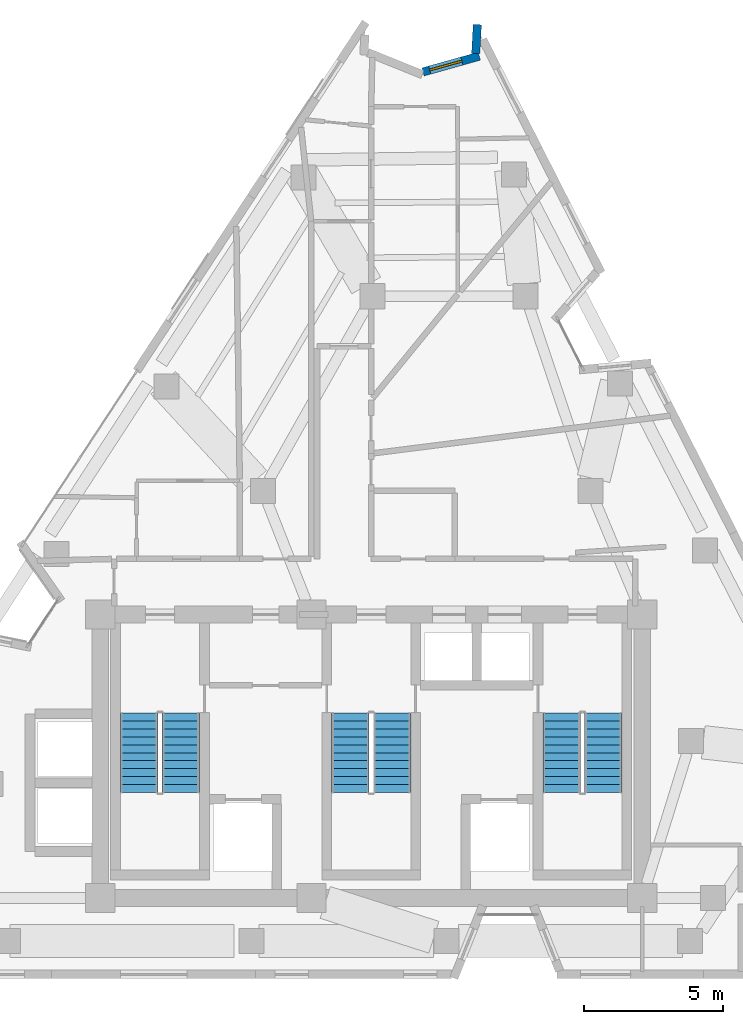
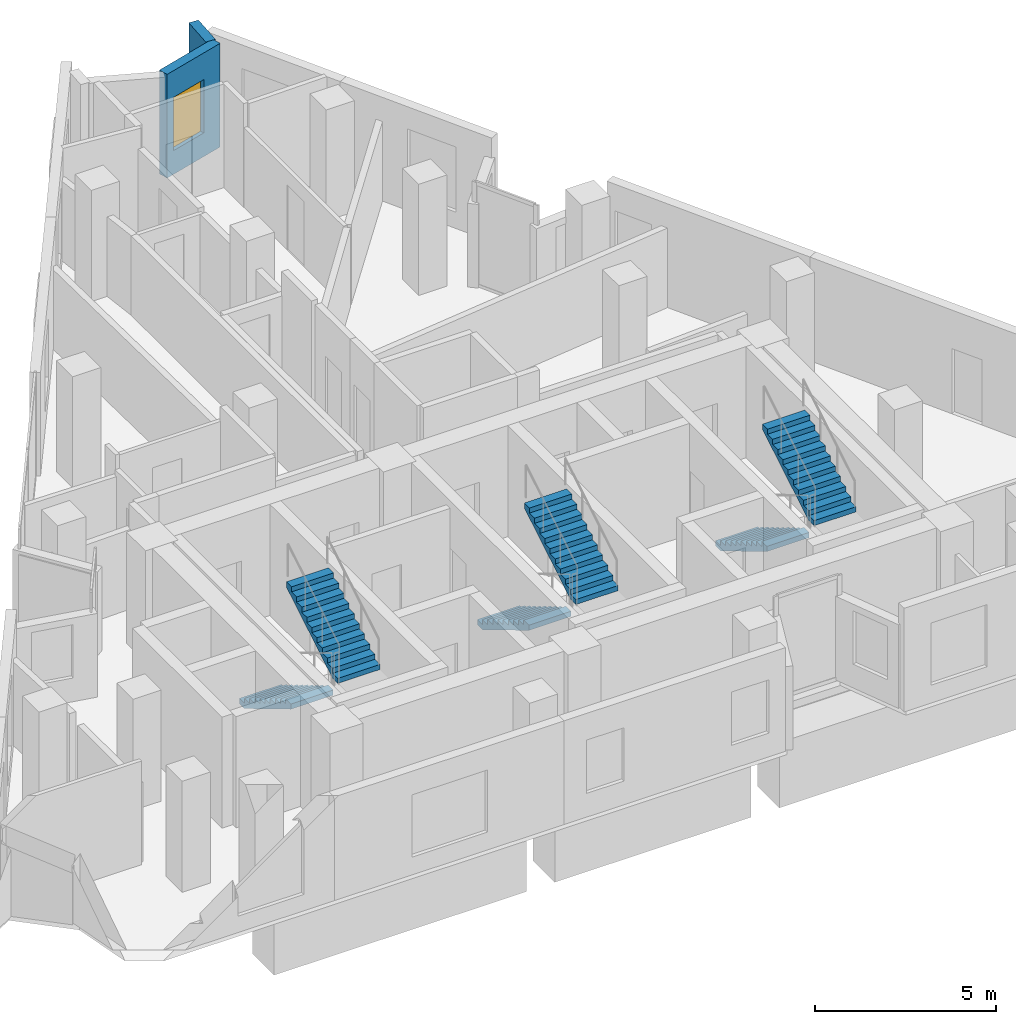
# One storey, part 8 of 10: 6 stair flights, 2 walls, 1 window, 1 opening, 3 elements without a shape of their own.
"""IFC4 building model written with IfcOpenShell, lengths in metres."""

from ifc_helpers import new_model, si_unit, direction, frame, frame_2d, origin, place, context, subcontext, project, spatial, polyline, rectangle, outline, extrude, material, layer, layer_set, type_object, element, fill, aggregate, save


model = new_model("IFC4")

# Units and contexts
model_context = context("Model", 3, precision=1e-05, world=origin(), true_north=direction((0.0, 1.0)))
body_context = subcontext(model_context, "Body", "Model", "MODEL_VIEW")
ifc_project = project(units=[si_unit("LENGTHUNIT", "METRE"), si_unit("AREAUNIT", "SQUARE_METRE"), si_unit("VOLUMEUNIT", "CUBIC_METRE"), si_unit("PLANEANGLEUNIT", "RADIAN"), si_unit("MASSUNIT", "GRAM", prefix="KILO")], contexts=[model_context])

# Site, building, storey
site_placement = place(None, origin())
site = spatial("IfcSite", under=ifc_project, at=site_placement, CompositionType="ELEMENT")
building_placement = place(site_placement, origin())
building = spatial("IfcBuilding", under=site, at=building_placement, Name="Almagre Mirador Tower", CompositionType="ELEMENT")
storey_placement = place(building_placement, frame((0.0, 0.0, 229.5)))
storey = spatial("IfcBuildingStorey", under=building, at=storey_placement, Name="L59", CompositionType="ELEMENT", Elevation=229.5)

# Wall, opening, window
ifc_material_1 = material(Name="Precast concrete C50/60", Category="concrete")
ifc_layer = layer(ifc_material_1, 0.300048828125)
ifc_layer_set = layer_set([ifc_layer], Name="Precast concrete C50/60")
wall_type = type_object("IfcWallType", Name="WAL-EXT-300", PredefinedType="SOLIDWALL", material=ifc_layer_set)
wall_1_placement = place(storey_placement, frame((39.166015625, 34.27099609375, 0.0), z_axis=(0.0, 0.0, 1.0), x_axis=(0.962897602702, 0.269867016714, 0.0)))
wall_1 = element("IfcWall", 1, at=wall_1_placement, inside=storey, type_object=wall_type, Name="L59 expressed almagre precast frame wall 07", PredefinedType="SOLIDWALL", context=body_context, shape_type="SweptSolid", body=[
    extrude(rectangle(XDim=2.1005859375, YDim=0.300048828125, at=frame_2d((1.05029296875, 0.0))), origin(), (0.0, 0.0, 1.0), 3.5),
])
opening_placement = place(wall_1_placement, frame((0.25, 0.0, 0.800048828125)))
opening = element("IfcOpeningElement", 2, at=opening_placement, cuts=wall_1, Name="Opening WN-04", PredefinedType="OPENING", context=body_context, shape_type="SweptSolid", body=[
    extrude(rectangle(XDim=1.199951171875, YDim=1.800048828125, at=frame_2d((0.60009765625, 0.89990234375))), frame((0.0, 0.159902, 0.0), z_axis=(0.0, -1.0, 0.0), x_axis=(1.0, 0.0, 0.0)), (0.0, 0.0, 1.0), 0.320049),
])
ifc_material_2 = material(Name="Dark solar-control laminated hurricane glass", Category="glass")
window_type = type_object("IfcWindowType", Name="WIN-1200X1800", PartitioningType="SINGLE_PANEL", PredefinedType="WINDOW", material=ifc_material_2)
window_placement = place(opening_placement, origin())
window = element("IfcWindow", 3, at=window_placement, inside=storey, type_object=window_type, Name="L59 recessed hurricane window L59-UL-BT", OverallHeight=1.800048828125, OverallWidth=1.199951171875, PartitioningType="SINGLE_PANEL", PredefinedType="WINDOW", context=body_context, shape_type="SweptSolid", body=[
    extrude(rectangle(XDim=1.199951171875, YDim=1.800048828125, at=frame_2d((0.60009765625, 0.89990234375))), frame((0.0, 0.030029296875, 0.0), z_axis=(0.0, -1.0, 0.0), x_axis=(1.0, 0.0, 0.0)), (0.0, 0.0, 1.0), 0.06005859375),
])
fill(opening, window)

# Wall
wall_2_placement = place(storey_placement, frame((41.0615234375, 34.934814453125, 0.0), z_axis=(0.0, 0.0, 1.0), x_axis=(0.056067679965, 0.998426970421, 0.0)))
element("IfcWall", 4, at=wall_2_placement, inside=storey, type_object=wall_type, Name="L59 expressed almagre precast frame wall 08", PredefinedType="SOLIDWALL", context=body_context, shape_type="SweptSolid", body=[
    extrude(rectangle(XDim=1.040771484375, YDim=0.300048828125, at=frame_2d((0.5205078125, 0.0))), origin(), (0.0, 0.0, 1.0), 3.5),
])

# Stair, stair flights
ifc_material_3 = material(Name="Concrete C45/55", Category="concrete")
stair_type = type_object("IfcStairType", Name="STR-DL-3750", PredefinedType="HALF_TURN_STAIR", material=ifc_material_3)
stair_1_placement = place(storey_placement, origin())
stair_1 = element("IfcStair", 5, at=stair_1_placement, inside=storey, type_object=stair_type, Name="L59 Protected exit stair ST-1", PredefinedType="HALF_TURN_STAIR")
ifc_material_4 = material(Name="Concrete C45/55", Category="concrete")
stair_flight_type = type_object("IfcStairFlightType", Name="FLT-DL-3750", PredefinedType="STRAIGHT", material=ifc_material_4)
stair_flight_1_placement = place(storey_placement, frame((28.949951171875, 11.199951171875, 0.0), z_axis=(0.0, 0.0, 1.0), x_axis=(0.0, -1.0, 0.0)))
stair_flight_1 = element("IfcStairFlight", 6, at=stair_flight_1_placement, type_object=stair_flight_type, Name="ST-1 flight 1", NumberOfRisers=11, NumberOfTreads=10, PredefinedType="STRAIGHT", RiserHeight=0.170454545, TreadLength=0.285, context=body_context, shape_type="SweptSolid", body=[
    extrude(outline(polyline([(0.0, 0.0), (0.0, 0.17041015625), (0.284912109375, 0.17041015625), (0.284912109375, 0.3408203125), (0.570068359375, 0.3408203125), (0.570068359375, 0.511474609375), (0.85498046875, 0.511474609375), (0.85498046875, 0.681884765625), (1.139892578125, 0.681884765625), (1.139892578125, 0.852294921875), (1.425048828125, 0.852294921875), (1.425048828125, 1.022705078125), (1.7099609375, 1.022705078125), (1.7099609375, 1.193115234375), (1.9951171875, 1.193115234375), (1.9951171875, 1.363525390625), (2.280029296875, 1.363525390625), (2.280029296875, 1.5341796875), (2.56494140625, 1.5341796875), (2.56494140625, 1.70458984375), (2.85009765625, 1.70458984375), (2.85009765625, 1.875), (2.85009765625, 1.52978515625), (0.2919921875, 0.0), (0.0, 0.0)])), frame((0.0, 0.675048828125, 0.0), z_axis=(0.0, -1.0, 0.0), x_axis=(1.0, 0.0, 0.0)), (0.0, 0.0, 1.0), 1.35009765625),
])
stair_flight_2_placement = place(storey_placement, frame((30.449951171875, 8.35009765625, 1.875), z_axis=(0.0, 0.0, 1.0), x_axis=(0.0, 1.0, 0.0)))
stair_flight_2 = element("IfcStairFlight", 7, at=stair_flight_2_placement, type_object=stair_flight_type, Name="ST-1 flight 2", NumberOfRisers=11, NumberOfTreads=10, PredefinedType="STRAIGHT", RiserHeight=0.170454545, TreadLength=0.285, context=body_context, shape_type="SweptSolid", body=[
    extrude(outline(polyline([(0.0, 0.0), (0.0, 0.17041015625), (0.284912109375, 0.17041015625), (0.284912109375, 0.3408203125), (0.570068359375, 0.3408203125), (0.570068359375, 0.511474609375), (0.85498046875, 0.511474609375), (0.85498046875, 0.681884765625), (1.139892578125, 0.681884765625), (1.139892578125, 0.852294921875), (1.425048828125, 0.852294921875), (1.425048828125, 1.022705078125), (1.7099609375, 1.022705078125), (1.7099609375, 1.193115234375), (1.9951171875, 1.193115234375), (1.9951171875, 1.363525390625), (2.280029296875, 1.363525390625), (2.280029296875, 1.5341796875), (2.56494140625, 1.5341796875), (2.56494140625, 1.70458984375), (2.85009765625, 1.70458984375), (2.85009765625, 1.875), (2.85009765625, 1.52978515625), (0.2919921875, 0.0), (0.0, 0.0)])), frame((0.0, 0.675048828125, 0.0), z_axis=(0.0, -1.0, 0.0), x_axis=(1.0, 0.0, 0.0)), (0.0, 0.0, 1.0), 1.35009765625),
])
aggregate(stair_1, [stair_flight_1, stair_flight_2])

stair_2_placement = place(storey_placement, origin())
stair_2 = element("IfcStair", 8, at=stair_2_placement, inside=storey, type_object=stair_type, Name="L59 Protected exit stair ST-2", PredefinedType="HALF_TURN_STAIR")
stair_flight_3_placement = place(storey_placement, frame((36.550048828125, 11.199951171875, 0.0), z_axis=(0.0, 0.0, 1.0), x_axis=(0.0, -1.0, 0.0)))
stair_flight_3 = element("IfcStairFlight", 9, at=stair_flight_3_placement, type_object=stair_flight_type, Name="ST-2 flight 1", NumberOfRisers=11, NumberOfTreads=10, PredefinedType="STRAIGHT", RiserHeight=0.170454545, TreadLength=0.285, context=body_context, shape_type="SweptSolid", body=[
    extrude(outline(polyline([(0.0, 0.0), (0.0, 0.17041015625), (0.284912109375, 0.17041015625), (0.284912109375, 0.3408203125), (0.570068359375, 0.3408203125), (0.570068359375, 0.511474609375), (0.85498046875, 0.511474609375), (0.85498046875, 0.681884765625), (1.139892578125, 0.681884765625), (1.139892578125, 0.852294921875), (1.425048828125, 0.852294921875), (1.425048828125, 1.022705078125), (1.7099609375, 1.022705078125), (1.7099609375, 1.193115234375), (1.9951171875, 1.193115234375), (1.9951171875, 1.363525390625), (2.280029296875, 1.363525390625), (2.280029296875, 1.5341796875), (2.56494140625, 1.5341796875), (2.56494140625, 1.70458984375), (2.85009765625, 1.70458984375), (2.85009765625, 1.875), (2.85009765625, 1.52978515625), (0.2919921875, 0.0), (0.0, 0.0)])), frame((0.0, 0.675048828125, 0.0), z_axis=(0.0, -1.0, 0.0), x_axis=(1.0, 0.0, 0.0)), (0.0, 0.0, 1.0), 1.35009765625),
])
stair_flight_4_placement = place(storey_placement, frame((38.050048828125, 8.35009765625, 1.875), z_axis=(0.0, 0.0, 1.0), x_axis=(0.0, 1.0, 0.0)))
stair_flight_4 = element("IfcStairFlight", 10, at=stair_flight_4_placement, type_object=stair_flight_type, Name="ST-2 flight 2", NumberOfRisers=11, NumberOfTreads=10, PredefinedType="STRAIGHT", RiserHeight=0.170454545, TreadLength=0.285, context=body_context, shape_type="SweptSolid", body=[
    extrude(outline(polyline([(0.0, 0.0), (0.0, 0.17041015625), (0.284912109375, 0.17041015625), (0.284912109375, 0.3408203125), (0.570068359375, 0.3408203125), (0.570068359375, 0.511474609375), (0.85498046875, 0.511474609375), (0.85498046875, 0.681884765625), (1.139892578125, 0.681884765625), (1.139892578125, 0.852294921875), (1.425048828125, 0.852294921875), (1.425048828125, 1.022705078125), (1.7099609375, 1.022705078125), (1.7099609375, 1.193115234375), (1.9951171875, 1.193115234375), (1.9951171875, 1.363525390625), (2.280029296875, 1.363525390625), (2.280029296875, 1.5341796875), (2.56494140625, 1.5341796875), (2.56494140625, 1.70458984375), (2.85009765625, 1.70458984375), (2.85009765625, 1.875), (2.85009765625, 1.52978515625), (0.2919921875, 0.0), (0.0, 0.0)])), frame((0.0, 0.675048828125, 0.0), z_axis=(0.0, -1.0, 0.0), x_axis=(1.0, 0.0, 0.0)), (0.0, 0.0, 1.0), 1.35009765625),
])
aggregate(stair_2, [stair_flight_3, stair_flight_4])

stair_3_placement = place(storey_placement, origin())
stair_3 = element("IfcStair", 11, at=stair_3_placement, inside=storey, type_object=stair_type, Name="L59 Protected exit stair ST-3", PredefinedType="HALF_TURN_STAIR")
stair_flight_5_placement = place(storey_placement, frame((44.14990234375, 11.199951171875, 0.0), z_axis=(0.0, 0.0, 1.0), x_axis=(0.0, -1.0, 0.0)))
stair_flight_5 = element("IfcStairFlight", 12, at=stair_flight_5_placement, type_object=stair_flight_type, Name="ST-3 flight 1", NumberOfRisers=11, NumberOfTreads=10, PredefinedType="STRAIGHT", RiserHeight=0.170454545, TreadLength=0.285, context=body_context, shape_type="SweptSolid", body=[
    extrude(outline(polyline([(0.0, 0.0), (0.0, 0.17041015625), (0.284912109375, 0.17041015625), (0.284912109375, 0.3408203125), (0.570068359375, 0.3408203125), (0.570068359375, 0.511474609375), (0.85498046875, 0.511474609375), (0.85498046875, 0.681884765625), (1.139892578125, 0.681884765625), (1.139892578125, 0.852294921875), (1.425048828125, 0.852294921875), (1.425048828125, 1.022705078125), (1.7099609375, 1.022705078125), (1.7099609375, 1.193115234375), (1.9951171875, 1.193115234375), (1.9951171875, 1.363525390625), (2.280029296875, 1.363525390625), (2.280029296875, 1.5341796875), (2.56494140625, 1.5341796875), (2.56494140625, 1.70458984375), (2.85009765625, 1.70458984375), (2.85009765625, 1.875), (2.85009765625, 1.52978515625), (0.2919921875, 0.0), (0.0, 0.0)])), frame((0.0, 0.675048828125, 0.0), z_axis=(0.0, -1.0, 0.0), x_axis=(1.0, 0.0, 0.0)), (0.0, 0.0, 1.0), 1.35009765625),
])
stair_flight_6_placement = place(storey_placement, frame((45.64990234375, 8.35009765625, 1.875), z_axis=(0.0, 0.0, 1.0), x_axis=(0.0, 1.0, 0.0)))
stair_flight_6 = element("IfcStairFlight", 13, at=stair_flight_6_placement, type_object=stair_flight_type, Name="ST-3 flight 2", NumberOfRisers=11, NumberOfTreads=10, PredefinedType="STRAIGHT", RiserHeight=0.170454545, TreadLength=0.285, context=body_context, shape_type="SweptSolid", body=[
    extrude(outline(polyline([(0.0, 0.0), (0.0, 0.17041015625), (0.284912109375, 0.17041015625), (0.284912109375, 0.3408203125), (0.570068359375, 0.3408203125), (0.570068359375, 0.511474609375), (0.85498046875, 0.511474609375), (0.85498046875, 0.681884765625), (1.139892578125, 0.681884765625), (1.139892578125, 0.852294921875), (1.425048828125, 0.852294921875), (1.425048828125, 1.022705078125), (1.7099609375, 1.022705078125), (1.7099609375, 1.193115234375), (1.9951171875, 1.193115234375), (1.9951171875, 1.363525390625), (2.280029296875, 1.363525390625), (2.280029296875, 1.5341796875), (2.56494140625, 1.5341796875), (2.56494140625, 1.70458984375), (2.85009765625, 1.70458984375), (2.85009765625, 1.875), (2.85009765625, 1.52978515625), (0.2919921875, 0.0), (0.0, 0.0)])), frame((0.0, 0.675048828125, 0.0), z_axis=(0.0, -1.0, 0.0), x_axis=(1.0, 0.0, 0.0)), (0.0, 0.0, 1.0), 1.35009765625),
])
aggregate(stair_3, [stair_flight_5, stair_flight_6])

save(model, "model.ifc")
